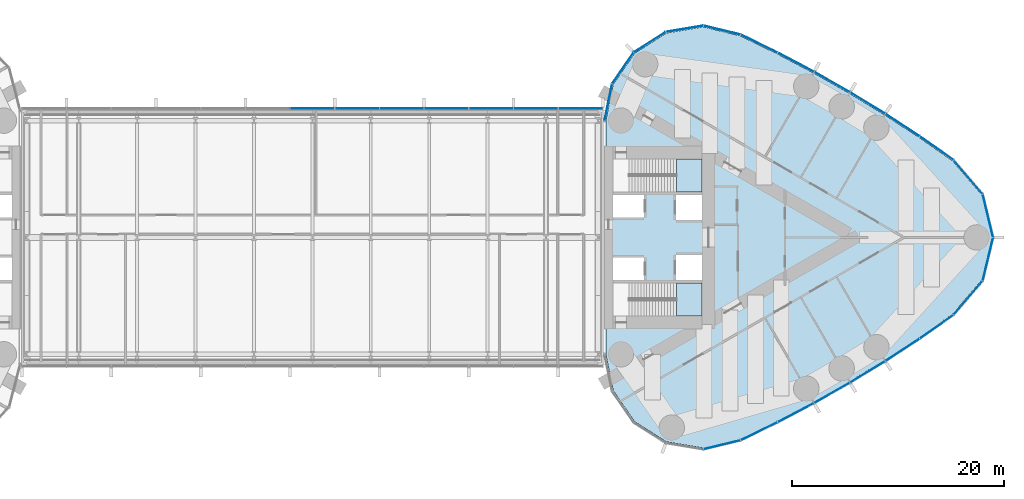
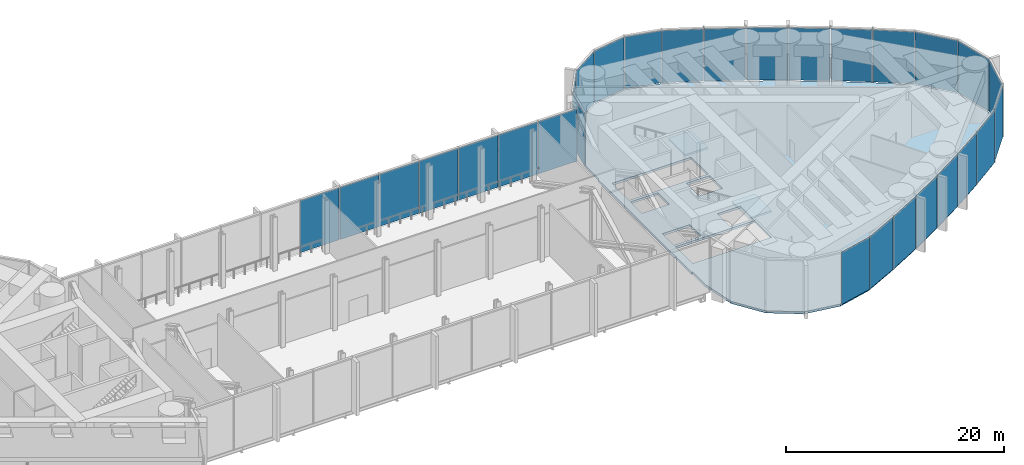
# One storey, part 14 of 21: 29 plates, 3 slabs, 4 elements without a shape of their own.
"""IFC4 building model written with IfcOpenShell, lengths in metres."""

from ifc_helpers import new_model, si_unit, direction, frame, origin, origin_2d, place, context, subcontext, project, spatial, polyline, rectangle, outline, extrude, material, layer, layer_set, type_object, element, aggregate, save


model = new_model("IFC4")

# Units and contexts
model_context = context("Model", 3, precision=1e-05, world=origin(), true_north=direction((0.0, 1.0)))
body_context = subcontext(model_context, "Body", "Model", "MODEL_VIEW")
ifc_project = project(units=[si_unit("LENGTHUNIT", "METRE"), si_unit("AREAUNIT", "SQUARE_METRE"), si_unit("VOLUMEUNIT", "CUBIC_METRE"), si_unit("PLANEANGLEUNIT", "RADIAN"), si_unit("MASSUNIT", "GRAM", prefix="KILO")], contexts=[model_context])

# Site, building, storey
site_placement = place(None, origin())
site = spatial("IfcSite", under=ifc_project, at=site_placement, CompositionType="ELEMENT")
building_placement = place(site_placement, origin())
building = spatial("IfcBuilding", under=site, at=building_placement, Name="Lancet Gate Hotel", CompositionType="ELEMENT")
storey_placement = place(building_placement, frame((0.0, 0.0, 257.300048828125)))
storey = spatial("IfcBuildingStorey", under=building, at=storey_placement, Name="L68", CompositionType="ELEMENT", Elevation=257.300048828125)

# Slab
ifc_material_1 = material(Name="Concrete C50/60", Category="concrete")
ifc_layer_1 = layer(ifc_material_1, 0.25)
ifc_layer_set_1 = layer_set([ifc_layer_1], Name="Floor slab 250")
slab_type_1 = type_object("IfcSlabType", Name="Floor slab 250", PredefinedType="FLOOR", material=ifc_layer_set_1)
slab_1_placement = place(storey_placement, frame((0.0, 0.0, -0.25)))
element("IfcSlab", 1, at=slab_1_placement, inside=storey, type_object=slab_type_1, Name="T2 L68 floor slab", PredefinedType="FLOOR", context=body_context, shape_type="SweptSolid", body=[
    extrude(outline(polyline([(27.6201171875, -8.60009765625), (27.6201171875, -10.93603515625), (28.329345703125, -14.419677734375), (30.33740234375, -17.338134765625), (33.326904296875, -19.2392578125), (36.82177734375, -19.81982421875), (40.2763671875, -18.98486328125), (43.753662109375, -17.2890625), (47.18603515625, -15.47998046875), (50.5595703125, -13.56396484375), (53.87158203125, -11.54296875), (57.118408203125, -9.4189453125), (60.2861328125, -7.20166015625), (62.99658203125, -4.03759765625), (63.968017578125, 0.0), (62.99658203125, 4.03759765625), (60.2861328125, 7.20166015625), (57.118408203125, 9.4189453125), (53.87158203125, 11.54296875), (50.5595703125, 13.56396484375), (47.18603515625, 15.47998046875), (43.753662109375, 17.2890625), (40.2763671875, 18.98486328125), (36.82177734375, 19.81982421875), (33.326904296875, 19.2392578125), (30.33740234375, 17.338134765625), (28.329345703125, 14.419677734375), (27.6201171875, 10.93603515625), (27.6201171875, 8.60009765625), (27.5, 8.60009765625), (27.5, 8.199951171875), (27.5, -8.199951171875), (27.5, -8.60009765625), (27.6201171875, -8.60009765625)]), holes=[polyline([(28.300048828125, -7.39990234375), (36.699951171875, -7.39990234375), (36.699951171875, -4.300048828125), (28.300048828125, -4.300048828125), (28.300048828125, -7.39990234375)]), polyline([(28.300048828125, -1.89990234375), (28.300048828125, -4.0), (31.199951171875, -4.0), (31.199951171875, -1.89990234375), (28.300048828125, -1.89990234375)]), polyline([(34.25, -1.64990234375), (34.25, -4.0), (36.699951171875, -4.0), (36.699951171875, -1.64990234375), (34.25, -1.64990234375)]), polyline([(34.25, 1.64990234375), (36.699951171875, 1.64990234375), (36.699951171875, 4.0), (34.25, 4.0), (34.25, 1.64990234375)]), polyline([(28.300048828125, 4.0), (28.300048828125, 1.89990234375), (31.199951171875, 1.89990234375), (31.199951171875, 4.0), (28.300048828125, 4.0)]), polyline([(28.300048828125, 7.39990234375), (28.300048828125, 4.300048828125), (36.699951171875, 4.300048828125), (36.699951171875, 7.39990234375), (28.300048828125, 7.39990234375)])]), origin(), (0.0, 0.0, 1.0), 0.25),
])

# Curtain wall, plates
ifc_material_2 = material(Name="Aluminium curtain wall", Category="aluminium")
curtain_wall_type = type_object("IfcCurtainWallType", Name="Sky deck full-height glazing", PredefinedType="USERDEFINED", material=ifc_material_2)
curtain_wall_1_placement = place(storey_placement, origin())
curtain_wall_1 = element("IfcCurtainWall", 2, at=curtain_wall_1_placement, inside=storey, type_object=curtain_wall_type, Name="T2 L68 curtain wall 1", ObjectType="UNITISED CURTAIN WALL", PredefinedType="USERDEFINED")
ifc_material_3 = material(Name="Laminated double glazed unit 10-20-14")
ifc_layer_2 = layer(ifc_material_3, 0.0439453125)
ifc_layer_set_2 = layer_set([ifc_layer_2], Name="Sky deck glass panel")
plate_type = type_object("IfcPlateType", Name="Sky deck glass panel", PredefinedType="CURTAIN_PANEL", material=ifc_layer_set_2)
plate_1_placement = place(storey_placement, frame((38.57177734375, -19.520263671875, 0.0), z_axis=(0.0, 0.0, 1.0), x_axis=(0.972013837597, 0.234923603582, 0.0)))
plate_1 = element("IfcPlate", 3, at=plate_1_placement, type_object=plate_type, Name="T2 L68 curtain wall 1 panel 5", PredefinedType="CURTAIN_PANEL", context=body_context, shape_type="SweptSolid", body=[
    extrude(rectangle(XDim=3.526611328125, YDim=0.0439453125, at=origin_2d()), origin(), (0.0, 0.0, 1.0), 5.85009765625),
])
plate_2_placement = place(storey_placement, frame((42.062744140625, -18.247314453125, 0.0), z_axis=(0.0, 0.0, 1.0), x_axis=(0.898823462202, 0.438310830114, 0.0)))
plate_2 = element("IfcPlate", 4, at=plate_2_placement, type_object=plate_type, Name="T2 L68 curtain wall 1 panel 6", PredefinedType="CURTAIN_PANEL", context=body_context, shape_type="SweptSolid", body=[
    extrude(rectangle(XDim=3.818603515625, YDim=0.0439453125, at=origin_2d()), origin(), (0.0, 0.0, 1.0), 5.85009765625),
])
plate_3_placement = place(storey_placement, frame((45.52587890625, -16.49072265625, 0.0), z_axis=(0.0, 0.0, 1.0), x_axis=(0.884622760861, 0.466307378204, 0.0)))
plate_3 = element("IfcPlate", 5, at=plate_3_placement, type_object=plate_type, Name="T2 L68 curtain wall 1 panel 7", PredefinedType="CURTAIN_PANEL", context=body_context, shape_type="SweptSolid", body=[
    extrude(rectangle(XDim=3.818603515625, YDim=0.0439453125, at=origin_2d()), origin(), (0.0, 0.0, 1.0), 5.85009765625),
])
plate_4_placement = place(storey_placement, frame((48.93212890625, -14.626220703125, 0.0), z_axis=(0.0, 0.0, 1.0), x_axis=(0.869550293306, 0.493844395951, 0.0)))
plate_4 = element("IfcPlate", 6, at=plate_4_placement, type_object=plate_type, Name="T2 L68 curtain wall 1 panel 8", PredefinedType="CURTAIN_PANEL", context=body_context, shape_type="SweptSolid", body=[
    extrude(rectangle(XDim=3.818603515625, YDim=0.0439453125, at=origin_2d()), origin(), (0.0, 0.0, 1.0), 5.85009765625),
])
plate_5_placement = place(storey_placement, frame((52.278076171875, -12.65576171875, 0.0), z_axis=(0.0, 0.0, 1.0), x_axis=(0.853620912967, 0.520894746513, 0.0)))
plate_5 = element("IfcPlate", 7, at=plate_5_placement, type_object=plate_type, Name="T2 L68 curtain wall 1 panel 9", PredefinedType="CURTAIN_PANEL", context=body_context, shape_type="SweptSolid", body=[
    extrude(rectangle(XDim=3.818603515625, YDim=0.0439453125, at=origin_2d()), origin(), (0.0, 0.0, 1.0), 5.85009765625),
])
plate_6_placement = place(storey_placement, frame((55.560791015625, -10.581298828125, 0.0), z_axis=(0.0, 0.0, 1.0), x_axis=(0.83685031771, 0.547431772688, 0.0)))
plate_6 = element("IfcPlate", 8, at=plate_6_placement, type_object=plate_type, Name="T2 L68 curtain wall 1 panel 10", PredefinedType="CURTAIN_PANEL", context=body_context, shape_type="SweptSolid", body=[
    extrude(rectangle(XDim=3.818603515625, YDim=0.0439453125, at=origin_2d()), origin(), (0.0, 0.0, 1.0), 5.85009765625),
])
plate_7_placement = place(storey_placement, frame((58.776611328125, -8.40478515625, 0.0), z_axis=(0.0, 0.0, 1.0), x_axis=(0.819255034386, 0.573429323137, 0.0)))
plate_7 = element("IfcPlate", 9, at=plate_7_placement, type_object=plate_type, Name="T2 L68 curtain wall 1 panel 11", PredefinedType="CURTAIN_PANEL", context=body_context, shape_type="SweptSolid", body=[
    extrude(rectangle(XDim=3.818603515625, YDim=0.0439453125, at=origin_2d()), origin(), (0.0, 0.0, 1.0), 5.85009765625),
])
plate_8_placement = place(storey_placement, frame((61.737060546875, -5.692626953125, 0.0), z_axis=(0.0, 0.0, 1.0), x_axis=(0.650551562434, 0.759462088991, 0.0)))
plate_8 = element("IfcPlate", 10, at=plate_8_placement, type_object=plate_type, Name="T2 L68 curtain wall 1 panel 12", PredefinedType="CURTAIN_PANEL", context=body_context, shape_type="SweptSolid", body=[
    extrude(rectangle(XDim=4.1455078125, YDim=0.0439453125, at=origin_2d()), origin(), (0.0, 0.0, 1.0), 5.85009765625),
])
plate_9_placement = place(storey_placement, frame((63.598876953125, -2.046875, 0.0), z_axis=(0.0, 0.0, 1.0), x_axis=(0.233916001796, 0.972256809749, 0.0)))
plate_9 = element("IfcPlate", 11, at=plate_9_placement, type_object=plate_type, Name="T2 L68 curtain wall 1 panel 13", PredefinedType="CURTAIN_PANEL", context=body_context, shape_type="SweptSolid", body=[
    extrude(rectangle(XDim=4.1455078125, YDim=0.0439453125, at=origin_2d()), origin(), (0.0, 0.0, 1.0), 5.85009765625),
])
plate_10_placement = place(storey_placement, frame((63.598876953125, 2.046875, 0.0), z_axis=(0.0, 0.0, 1.0), x_axis=(-0.233916001796, 0.972256809749, 0.0)))
plate_10 = element("IfcPlate", 12, at=plate_10_placement, type_object=plate_type, Name="T2 L68 curtain wall 1 panel 14", PredefinedType="CURTAIN_PANEL", context=body_context, shape_type="SweptSolid", body=[
    extrude(rectangle(XDim=4.1455078125, YDim=0.0439453125, at=origin_2d()), origin(), (0.0, 0.0, 1.0), 5.85009765625),
])
plate_11_placement = place(storey_placement, frame((61.737060546875, 5.692626953125, 0.0), z_axis=(0.0, 0.0, 1.0), x_axis=(-0.650551562434, 0.759462088991, 0.0)))
plate_11 = element("IfcPlate", 13, at=plate_11_placement, type_object=plate_type, Name="T2 L68 curtain wall 1 panel 15", PredefinedType="CURTAIN_PANEL", context=body_context, shape_type="SweptSolid", body=[
    extrude(rectangle(XDim=4.1455078125, YDim=0.0439453125, at=origin_2d()), origin(), (0.0, 0.0, 1.0), 5.85009765625),
])
plate_12_placement = place(storey_placement, frame((58.776611328125, 8.40478515625, 0.0), z_axis=(0.0, 0.0, 1.0), x_axis=(-0.819255034386, 0.573429323137, 0.0)))
plate_12 = element("IfcPlate", 14, at=plate_12_placement, type_object=plate_type, Name="T2 L68 curtain wall 1 panel 16", PredefinedType="CURTAIN_PANEL", context=body_context, shape_type="SweptSolid", body=[
    extrude(rectangle(XDim=3.818603515625, YDim=0.0439453125, at=origin_2d()), origin(), (0.0, 0.0, 1.0), 5.85009765625),
])
plate_13_placement = place(storey_placement, frame((55.560791015625, 10.581298828125, 0.0), z_axis=(0.0, 0.0, 1.0), x_axis=(-0.83685031771, 0.547431772688, 0.0)))
plate_13 = element("IfcPlate", 15, at=plate_13_placement, type_object=plate_type, Name="T2 L68 curtain wall 1 panel 17", PredefinedType="CURTAIN_PANEL", context=body_context, shape_type="SweptSolid", body=[
    extrude(rectangle(XDim=3.818603515625, YDim=0.0439453125, at=origin_2d()), origin(), (0.0, 0.0, 1.0), 5.85009765625),
])
plate_14_placement = place(storey_placement, frame((52.278076171875, 12.65576171875, 0.0), z_axis=(0.0, 0.0, 1.0), x_axis=(-0.853620912967, 0.520894746513, 0.0)))
plate_14 = element("IfcPlate", 16, at=plate_14_placement, type_object=plate_type, Name="T2 L68 curtain wall 1 panel 18", PredefinedType="CURTAIN_PANEL", context=body_context, shape_type="SweptSolid", body=[
    extrude(rectangle(XDim=3.818603515625, YDim=0.0439453125, at=origin_2d()), origin(), (0.0, 0.0, 1.0), 5.85009765625),
])
plate_15_placement = place(storey_placement, frame((48.93212890625, 14.626220703125, 0.0), z_axis=(0.0, 0.0, 1.0), x_axis=(-0.869550293306, 0.493844395951, 0.0)))
plate_15 = element("IfcPlate", 17, at=plate_15_placement, type_object=plate_type, Name="T2 L68 curtain wall 1 panel 19", PredefinedType="CURTAIN_PANEL", context=body_context, shape_type="SweptSolid", body=[
    extrude(rectangle(XDim=3.818603515625, YDim=0.0439453125, at=origin_2d()), origin(), (0.0, 0.0, 1.0), 5.85009765625),
])
plate_16_placement = place(storey_placement, frame((45.52587890625, 16.49072265625, 0.0), z_axis=(0.0, 0.0, 1.0), x_axis=(-0.884622760861, 0.466307378204, 0.0)))
plate_16 = element("IfcPlate", 18, at=plate_16_placement, type_object=plate_type, Name="T2 L68 curtain wall 1 panel 20", PredefinedType="CURTAIN_PANEL", context=body_context, shape_type="SweptSolid", body=[
    extrude(rectangle(XDim=3.818603515625, YDim=0.0439453125, at=origin_2d()), origin(), (0.0, 0.0, 1.0), 5.85009765625),
])
plate_17_placement = place(storey_placement, frame((42.062744140625, 18.247314453125, 0.0), z_axis=(0.0, 0.0, 1.0), x_axis=(-0.898823462202, 0.438310830114, 0.0)))
plate_17 = element("IfcPlate", 19, at=plate_17_placement, type_object=plate_type, Name="T2 L68 curtain wall 1 panel 21", PredefinedType="CURTAIN_PANEL", context=body_context, shape_type="SweptSolid", body=[
    extrude(rectangle(XDim=3.818603515625, YDim=0.0439453125, at=origin_2d()), origin(), (0.0, 0.0, 1.0), 5.85009765625),
])
plate_18_placement = place(storey_placement, frame((38.57177734375, 19.520263671875, 0.0), z_axis=(0.0, 0.0, 1.0), x_axis=(-0.972013837597, 0.234923603582, 0.0)))
plate_18 = element("IfcPlate", 20, at=plate_18_placement, type_object=plate_type, Name="T2 L68 curtain wall 1 panel 22", PredefinedType="CURTAIN_PANEL", context=body_context, shape_type="SweptSolid", body=[
    extrude(rectangle(XDim=3.526611328125, YDim=0.0439453125, at=origin_2d()), origin(), (0.0, 0.0, 1.0), 5.85009765625),
])
plate_19_placement = place(storey_placement, frame((35.0546875, 19.64794921875, 0.0), z_axis=(0.0, 0.0, 1.0), x_axis=(-0.986480101775, -0.163881081283, 0.0)))
plate_19 = element("IfcPlate", 21, at=plate_19_placement, type_object=plate_type, Name="T2 L68 curtain wall 1 panel 23", PredefinedType="CURTAIN_PANEL", context=body_context, shape_type="SweptSolid", body=[
    extrude(rectangle(XDim=3.526611328125, YDim=0.0439453125, at=origin_2d()), origin(), (0.0, 0.0, 1.0), 5.85009765625),
])
plate_20_placement = place(storey_placement, frame((31.767822265625, 18.389892578125, 0.0), z_axis=(0.0, 0.0, 1.0), x_axis=(-0.843845020422, -0.536586974785, 0.0)))
plate_20 = element("IfcPlate", 22, at=plate_20_placement, type_object=plate_type, Name="T2 L68 curtain wall 1 panel 24", PredefinedType="CURTAIN_PANEL", context=body_context, shape_type="SweptSolid", body=[
    extrude(rectangle(XDim=3.526611328125, YDim=0.0439453125, at=origin_2d()), origin(), (0.0, 0.0, 1.0), 5.85009765625),
])
plate_21_placement = place(storey_placement, frame((29.234619140625, 15.947021484375, 0.0), z_axis=(0.0, 0.0, 1.0), x_axis=(-0.566823864908, -0.823839005007, 0.0)))
plate_21 = element("IfcPlate", 23, at=plate_21_placement, type_object=plate_type, Name="T2 L68 curtain wall 1 panel 25", PredefinedType="CURTAIN_PANEL", context=body_context, shape_type="SweptSolid", body=[
    extrude(rectangle(XDim=3.526611328125, YDim=0.0439453125, at=origin_2d()), origin(), (0.0, 0.0, 1.0), 5.85009765625),
])
plate_22_placement = place(storey_placement, frame((27.8583984375, 12.707763671875, 0.0), z_axis=(0.0, 0.0, 1.0), x_axis=(-0.199533486841, -0.979891008036, 0.0)))
plate_22 = element("IfcPlate", 24, at=plate_22_placement, type_object=plate_type, Name="T2 L68 curtain wall 1 panel 26", PredefinedType="CURTAIN_PANEL", context=body_context, shape_type="SweptSolid", body=[
    extrude(rectangle(XDim=3.526611328125, YDim=0.0439453125, at=origin_2d()), origin(), (0.0, 0.0, 1.0), 5.85009765625),
])
aggregate(curtain_wall_1, [plate_1, plate_2, plate_3, plate_4, plate_5, plate_6, plate_7, plate_8, plate_9, plate_10, plate_11, plate_12, plate_13, plate_14, plate_15, plate_16, plate_17, plate_18, plate_19, plate_20, plate_21, plate_22])

curtain_wall_2_placement = place(storey_placement, origin())
curtain_wall_2 = element("IfcCurtainWall", 25, at=curtain_wall_2_placement, inside=storey, type_object=curtain_wall_type, Name="Bridge block L68 curtain wall N", ObjectType="UNITISED CURTAIN WALL", PredefinedType="USERDEFINED")
plate_23_placement = place(storey_placement, frame((25.24609375, 12.1201171875, 0.0), z_axis=(0.0, 0.0, 1.0), x_axis=(-1.0, 0.0, 0.0)))
plate_23 = element("IfcPlate", 26, at=plate_23_placement, type_object=plate_type, Name="Bridge block L68 curtain wall N panel 1", PredefinedType="CURTAIN_PANEL", context=body_context, shape_type="SweptSolid", body=[
    extrude(rectangle(XDim=4.142578125, YDim=0.0439453125, at=origin_2d()), origin(), (0.0, 0.0, 1.0), 5.85009765625),
])
plate_24_placement = place(storey_placement, frame((21.03857421875, 12.1201171875, 0.0), z_axis=(0.0, 0.0, 1.0), x_axis=(-1.0, 0.0, 0.0)))
plate_24 = element("IfcPlate", 27, at=plate_24_placement, type_object=plate_type, Name="Bridge block L68 curtain wall N panel 2", PredefinedType="CURTAIN_PANEL", context=body_context, shape_type="SweptSolid", body=[
    extrude(rectangle(XDim=4.142578125, YDim=0.0439453125, at=origin_2d()), origin(), (0.0, 0.0, 1.0), 5.85009765625),
])
plate_25_placement = place(storey_placement, frame((16.830810546875, 12.1201171875, 0.0), z_axis=(0.0, 0.0, 1.0), x_axis=(-1.0, 0.0, 0.0)))
plate_25 = element("IfcPlate", 28, at=plate_25_placement, type_object=plate_type, Name="Bridge block L68 curtain wall N panel 3", PredefinedType="CURTAIN_PANEL", context=body_context, shape_type="SweptSolid", body=[
    extrude(rectangle(XDim=4.142578125, YDim=0.0439453125, at=origin_2d()), origin(), (0.0, 0.0, 1.0), 5.85009765625),
])
plate_26_placement = place(storey_placement, frame((12.623046875, 12.1201171875, 0.0), z_axis=(0.0, 0.0, 1.0), x_axis=(-1.0, 0.0, 0.0)))
plate_26 = element("IfcPlate", 29, at=plate_26_placement, type_object=plate_type, Name="Bridge block L68 curtain wall N panel 4", PredefinedType="CURTAIN_PANEL", context=body_context, shape_type="SweptSolid", body=[
    extrude(rectangle(XDim=4.142578125, YDim=0.0439453125, at=origin_2d()), origin(), (0.0, 0.0, 1.0), 5.85009765625),
])
plate_27_placement = place(storey_placement, frame((8.415283203125, 12.1201171875, 0.0), z_axis=(0.0, 0.0, 1.0), x_axis=(-1.0, 0.0, 0.0)))
plate_27 = element("IfcPlate", 30, at=plate_27_placement, type_object=plate_type, Name="Bridge block L68 curtain wall N panel 5", PredefinedType="CURTAIN_PANEL", context=body_context, shape_type="SweptSolid", body=[
    extrude(rectangle(XDim=4.142578125, YDim=0.0439453125, at=origin_2d()), origin(), (0.0, 0.0, 1.0), 5.85009765625),
])
plate_28_placement = place(storey_placement, frame((4.207763671875, 12.1201171875, 0.0), z_axis=(0.0, 0.0, 1.0), x_axis=(-1.0, 0.0, 0.0)))
plate_28 = element("IfcPlate", 31, at=plate_28_placement, type_object=plate_type, Name="Bridge block L68 curtain wall N panel 6", PredefinedType="CURTAIN_PANEL", context=body_context, shape_type="SweptSolid", body=[
    extrude(rectangle(XDim=4.142578125, YDim=0.0439453125, at=origin_2d()), origin(), (0.0, 0.0, 1.0), 5.85009765625),
])
plate_29_placement = place(storey_placement, frame((0.0, 12.1201171875, 0.0), z_axis=(0.0, 0.0, 1.0), x_axis=(-1.0, 0.0, 0.0)))
plate_29 = element("IfcPlate", 32, at=plate_29_placement, type_object=plate_type, Name="Bridge block L68 curtain wall N panel 7", PredefinedType="CURTAIN_PANEL", context=body_context, shape_type="SweptSolid", body=[
    extrude(rectangle(XDim=4.142578125, YDim=0.0439453125, at=origin_2d()), origin(), (0.0, 0.0, 1.0), 5.85009765625),
])
aggregate(curtain_wall_2, [plate_23, plate_24, plate_25, plate_26, plate_27, plate_28, plate_29])

# Stair, slab
ifc_material_4 = material(Name="Exit stair 34 risers 1500")
stair_type = type_object("IfcStairType", Name="Exit stair 34 risers 1500", PredefinedType="HALF_TURN_STAIR", material=ifc_material_4)
stair_1_placement = place(storey_placement, origin())
stair_1 = element("IfcStair", 33, at=stair_1_placement, inside=storey, type_object=stair_type, Name="T2 stair 1 L68", PredefinedType="HALF_TURN_STAIR")
ifc_material_5 = material(Name="Concrete C40/50", Category="concrete")
ifc_layer_3 = layer(ifc_material_5, 0.199951171875)
ifc_layer_set_3 = layer_set([ifc_layer_3], Name="Stair landing 200")
slab_type_2 = type_object("IfcSlabType", Name="Stair landing 200", PredefinedType="LANDING", material=ifc_layer_set_3)
slab_2_placement = place(storey_placement, frame((0.0, 0.0, 2.800048828125)))
slab_2 = element("IfcSlab", 34, at=slab_2_placement, type_object=slab_type_2, Name="ST3 landing 2", PredefinedType="LANDING", context=body_context, shape_type="SweptSolid", body=[
    extrude(outline(polyline([(34.280029296875, -7.39990234375), (36.699951171875, -7.39990234375), (36.699951171875, -4.300048828125), (34.280029296875, -4.300048828125), (34.280029296875, -7.39990234375)])), origin(), (0.0, 0.0, 1.0), 0.199951171875),
])
aggregate(stair_1, [slab_2])

stair_2_placement = place(storey_placement, origin())
stair_2 = element("IfcStair", 35, at=stair_2_placement, inside=storey, type_object=stair_type, Name="T2 stair 2 L68", PredefinedType="HALF_TURN_STAIR")
slab_3_placement = place(storey_placement, frame((0.0, 0.0, 2.800048828125)))
slab_3 = element("IfcSlab", 36, at=slab_3_placement, type_object=slab_type_2, Name="ST4 landing 2", PredefinedType="LANDING", context=body_context, shape_type="SweptSolid", body=[
    extrude(outline(polyline([(34.280029296875, 4.300048828125), (36.699951171875, 4.300048828125), (36.699951171875, 7.39990234375), (34.280029296875, 7.39990234375), (34.280029296875, 4.300048828125)])), origin(), (0.0, 0.0, 1.0), 0.199951171875),
])
aggregate(stair_2, [slab_3])

save(model, "model.ifc")
